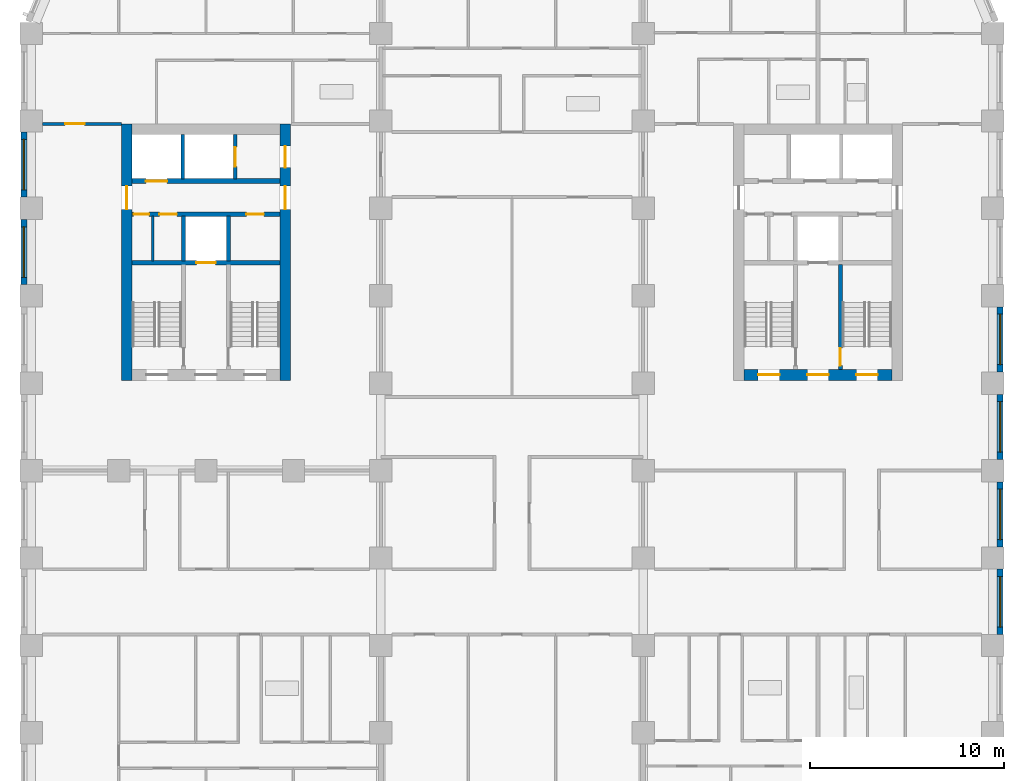
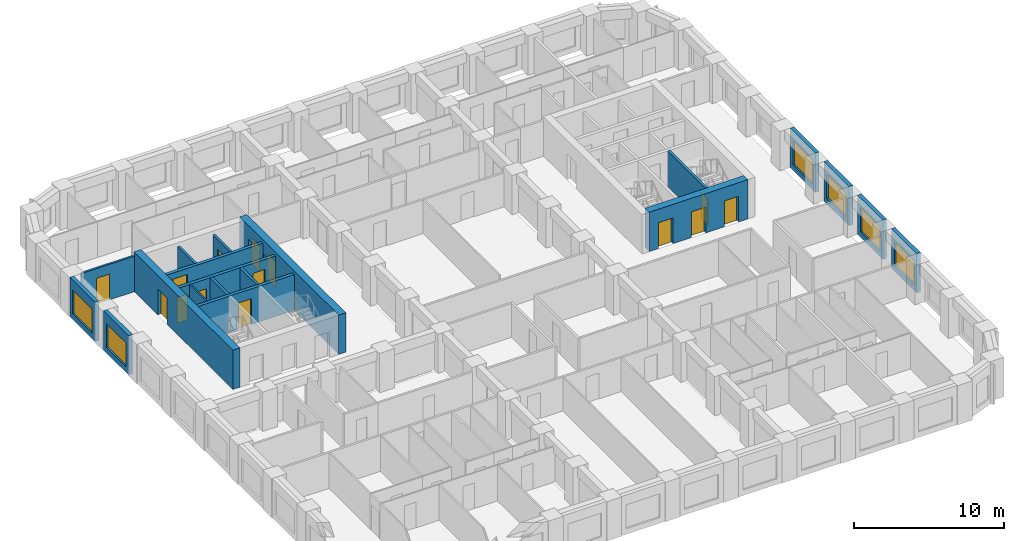
# One storey, part 6 of 13: 19 walls, 14 doors, 6 windows, 20 openings.
"""IFC4 building model written with IfcOpenShell, lengths in metres."""

from ifc_helpers import new_model, si_unit, direction, frame, frame_2d, origin, place, context, subcontext, project, spatial, rectangle, extrude, material, layer, layer_set, type_object, element, fill, save


model = new_model("IFC4")

# Units and contexts
model_context = context("Model", 3, precision=1e-05, world=origin(), true_north=direction((0.0, 1.0)))
body_context = subcontext(model_context, "Body", "Model", "MODEL_VIEW")
ifc_project = project(units=[si_unit("LENGTHUNIT", "METRE"), si_unit("AREAUNIT", "SQUARE_METRE"), si_unit("VOLUMEUNIT", "CUBIC_METRE"), si_unit("PLANEANGLEUNIT", "RADIAN"), si_unit("MASSUNIT", "GRAM", prefix="KILO")], contexts=[model_context])

# Site, building, storey
site_placement = place(None, origin())
site = spatial("IfcSite", under=ifc_project, at=site_placement, CompositionType="ELEMENT")
building_placement = place(site_placement, origin())
building = spatial("IfcBuilding", under=site, at=building_placement, Name="Girih Gate Residences", CompositionType="ELEMENT")
storey_placement = place(building_placement, frame((0.0, 0.0, 86.39990234375)))
storey = spatial("IfcBuildingStorey", under=building, at=storey_placement, Name="L23", CompositionType="ELEMENT", Elevation=86.39990234375)

# Wall, opening, door
ifc_material_1 = material(Name="Gypsum board on steel studs", Category="steel")
ifc_layer_1 = layer(ifc_material_1, 0.14990234375)
ifc_layer_set_1 = layer_set([ifc_layer_1], Name="Compartment wall 150 mm")
wall_type_1 = type_object("IfcWallType", Name="Compartment wall 150 mm", PredefinedType="PARTITIONING", material=ifc_layer_set_1)
wall_1_placement = place(storey_placement, frame((0.574951171875, 40.35009765625, 0.0), z_axis=(0.0, 0.0, 1.0), x_axis=(1.0, 0.0, 0.0)))
wall_1 = element("IfcWall", 1, at=wall_1_placement, inside=storey, type_object=wall_type_1, Name="L23 partition", PredefinedType="PARTITIONING", context=body_context, shape_type="SweptSolid", body=[
    extrude(rectangle(XDim=4.074951171875, YDim=0.14990234375, at=frame_2d((2.03759765625, 0.0))), origin(), (0.0, 0.0, 1.0), 2.900146484375),
])
opening_1_placement = place(wall_1_placement, frame((1.175048828125, 0.0, 0.0)))
opening_1 = element("IfcOpeningElement", 2, at=opening_1_placement, cuts=wall_1, Name="Opening A23-017", PredefinedType="OPENING", context=body_context, shape_type="SweptSolid", body=[
    extrude(rectangle(XDim=1.0, YDim=2.10009765625, at=frame_2d((0.5, 1.050048828125))), frame((0.0, 0.0849609375, 0.0), z_axis=(0.0, -1.0, 0.0), x_axis=(1.0, 0.0, 0.0)), (0.0, 0.0, 1.0), 0.169921875),
])
ifc_material_2 = material(Name="Timber, fire-rated core", Category="wood")
door_type_1 = type_object("IfcDoorType", Name="Flat entrance door 1000x2100 FD30S", OperationType="NOTDEFINED", PredefinedType="DOOR", material=ifc_material_2)
door_1_placement = place(opening_1_placement, origin())
door_1 = element("IfcDoor", 3, at=door_1_placement, inside=storey, type_object=door_type_1, Name="Door A23-017", OperationType="SINGLE_SWING_LEFT", OverallHeight=2.10009765625, OverallWidth=1.0, PredefinedType="DOOR", context=body_context, shape_type="SweptSolid", body=[
    extrude(rectangle(XDim=1.0, YDim=2.10009765625, at=frame_2d((0.5, 1.050048828125))), frame((0.0, 0.02490234375, 0.0), z_axis=(0.0, -1.0, 0.0), x_axis=(1.0, 0.0, 0.0)), (0.0, 0.0, 1.0), 0.050048828125),
])
fill(opening_1, door_1)

ifc_material_3 = material(Name="Concrete C60/75", Category="concrete")
ifc_layer_2 = layer(ifc_material_3, 0.550048828125)
ifc_layer_set_2 = layer_set([ifc_layer_2], Name="Core wall RC 550 Concrete C60/75")
wall_type_2 = type_object("IfcWallType", Name="Core wall RC 550 Concrete C60/75", PredefinedType="SOLIDWALL", material=ifc_layer_set_2)
wall_2_placement = place(storey_placement, frame((4.925048828125, 27.14990234375, 0.0), z_axis=(0.0, 0.0, 1.0), x_axis=(0.0, 1.0, 0.0)))
wall_2 = element("IfcWall", 4, at=wall_2_placement, inside=storey, type_object=wall_type_2, Name="Core wall W-W L23", PredefinedType="SOLIDWALL", context=body_context, shape_type="SweptSolid", body=[
    extrude(rectangle(XDim=13.2001953125, YDim=0.550048828125, at=frame_2d((6.60009765625, 0.0))), origin(), (0.0, 0.0, 1.0), 3.2001953125),
])
opening_2_placement = place(wall_2_placement, frame((8.800048828125, 0.0, 0.0)))
opening_2 = element("IfcOpeningElement", 5, at=opening_2_placement, cuts=wall_2, Name="Opening D-L23-W-013", PredefinedType="OPENING", context=body_context, shape_type="SweptSolid", body=[
    extrude(rectangle(XDim=1.199951171875, YDim=2.10009765625, at=frame_2d((0.60009765625, 1.050048828125))), frame((0.0, 0.284912109375, 0.0), z_axis=(0.0, -1.0, 0.0), x_axis=(1.0, 0.0, 0.0)), (0.0, 0.0, 1.0), 0.570068359375),
])
ifc_material_4 = material(Name="Painted steel, fire-resisting", Category="steel")
door_type_2 = type_object("IfcDoorType", Name="Fire door 1200x2100", OperationType="SINGLE_SWING_LEFT", PredefinedType="DOOR", material=ifc_material_4)
door_2_placement = place(opening_2_placement, origin())
door_2 = element("IfcDoor", 6, at=door_2_placement, inside=storey, type_object=door_type_2, Name="L23 W core door ll-w", OperationType="SINGLE_SWING_LEFT", OverallHeight=2.10009765625, OverallWidth=1.199951171875, PredefinedType="DOOR", context=body_context, shape_type="SweptSolid", body=[
    extrude(rectangle(XDim=1.199951171875, YDim=2.10009765625, at=frame_2d((0.60009765625, 1.050048828125))), frame((0.0, 0.02490234375, 0.0), z_axis=(0.0, -1.0, 0.0), x_axis=(1.0, 0.0, 0.0)), (0.0, 0.0, 1.0), 0.050048828125),
])
fill(opening_2, door_2)

# Wall, openings, doors
wall_3_placement = place(storey_placement, frame((13.074951171875, 27.14990234375, 0.0), z_axis=(0.0, 0.0, 1.0), x_axis=(0.0, 1.0, 0.0)))
wall_3 = element("IfcWall", 7, at=wall_3_placement, inside=storey, type_object=wall_type_2, Name="Core wall W-E L23", PredefinedType="SOLIDWALL", context=body_context, shape_type="SweptSolid", body=[
    extrude(rectangle(XDim=13.2001953125, YDim=0.550048828125, at=frame_2d((6.60009765625, 0.0))), origin(), (0.0, 0.0, 1.0), 3.2001953125),
])
opening_3_placement = place(wall_3_placement, frame((10.949951171875, 0.0, 0.0)))
opening_3 = element("IfcOpeningElement", 8, at=opening_3_placement, cuts=wall_3, Name="Opening D-L23-W-012", PredefinedType="OPENING", context=body_context, shape_type="SweptSolid", body=[
    extrude(rectangle(XDim=1.10009765625, YDim=2.10009765625, at=frame_2d((0.550048828125, 1.050048828125))), frame((0.0, 0.284912109375, 0.0), z_axis=(0.0, -1.0, 0.0), x_axis=(1.0, 0.0, 0.0)), (0.0, 0.0, 1.0), 0.570068359375),
])
opening_4_placement = place(wall_3_placement, frame((8.800048828125, 0.0, 0.0)))
opening_4 = element("IfcOpeningElement", 9, at=opening_4_placement, cuts=wall_3, Name="Opening D-L23-W-014", PredefinedType="OPENING", context=body_context, shape_type="SweptSolid", body=[
    extrude(rectangle(XDim=1.199951171875, YDim=2.10009765625, at=frame_2d((0.60009765625, 1.050048828125))), frame((0.0, 0.284912109375, 0.0), z_axis=(0.0, -1.0, 0.0), x_axis=(1.0, 0.0, 0.0)), (0.0, 0.0, 1.0), 0.570068359375),
])
door_type_3 = type_object("IfcDoorType", Name="Fire door 1100x2100", OperationType="SINGLE_SWING_LEFT", PredefinedType="DOOR", material=ifc_material_4)
door_3_placement = place(opening_3_placement, origin())
door_3 = element("IfcDoor", 10, at=door_3_placement, inside=storey, type_object=door_type_3, Name="L23 W core door ffl2-e", OperationType="SINGLE_SWING_LEFT", OverallHeight=2.10009765625, OverallWidth=1.10009765625, PredefinedType="DOOR", context=body_context, shape_type="SweptSolid", body=[
    extrude(rectangle(XDim=1.10009765625, YDim=2.10009765625, at=frame_2d((0.550048828125, 1.050048828125))), frame((0.0, 0.02490234375, 0.0), z_axis=(0.0, -1.0, 0.0), x_axis=(1.0, 0.0, 0.0)), (0.0, 0.0, 1.0), 0.050048828125),
])
fill(opening_3, door_3)
door_4_placement = place(opening_4_placement, origin())
door_4 = element("IfcDoor", 11, at=door_4_placement, inside=storey, type_object=door_type_2, Name="L23 W core door ll-e", OperationType="SINGLE_SWING_LEFT", OverallHeight=2.10009765625, OverallWidth=1.199951171875, PredefinedType="DOOR", context=body_context, shape_type="SweptSolid", body=[
    extrude(rectangle(XDim=1.199951171875, YDim=2.10009765625, at=frame_2d((0.60009765625, 1.050048828125))), frame((0.0, 0.02490234375, 0.0), z_axis=(0.0, -1.0, 0.0), x_axis=(1.0, 0.0, 0.0)), (0.0, 0.0, 1.0), 0.050048828125),
])
fill(opening_4, door_4)

wall_4_placement = place(storey_placement, frame((36.699951171875, 27.425048828125, 0.0), z_axis=(0.0, 0.0, 1.0), x_axis=(1.0, 0.0, 0.0)))
wall_4 = element("IfcWall", 12, at=wall_4_placement, inside=storey, type_object=wall_type_2, Name="Core wall E-S L23", PredefinedType="SOLIDWALL", context=body_context, shape_type="SweptSolid", body=[
    extrude(rectangle(XDim=7.60009765625, YDim=0.550048828125, at=frame_2d((3.800048828125, 0.0))), origin(), (0.0, 0.0, 1.0), 3.2001953125),
])
opening_5_placement = place(wall_4_placement, frame((5.77490234375, 0.0, 0.0)))
opening_5 = element("IfcOpeningElement", 13, at=opening_5_placement, cuts=wall_4, Name="Opening D-L23-E-010", PredefinedType="OPENING", context=body_context, shape_type="SweptSolid", body=[
    extrude(rectangle(XDim=1.10009765625, YDim=2.10009765625, at=frame_2d((0.550048828125, 1.050048828125))), frame((0.0, 0.284912109375, 0.0), z_axis=(0.0, -1.0, 0.0), x_axis=(1.0, 0.0, 0.0)), (0.0, 0.0, 1.0), 0.570068359375),
])
opening_6_placement = place(wall_4_placement, frame((3.25, 0.0, 0.0)))
opening_6 = element("IfcOpeningElement", 14, at=opening_6_placement, cuts=wall_4, Name="Opening D-L23-E-011", PredefinedType="OPENING", context=body_context, shape_type="SweptSolid", body=[
    extrude(rectangle(XDim=1.10009765625, YDim=2.10009765625, at=frame_2d((0.550048828125, 1.050048828125))), frame((0.0, 0.284912109375, 0.0), z_axis=(0.0, -1.0, 0.0), x_axis=(1.0, 0.0, 0.0)), (0.0, 0.0, 1.0), 0.570068359375),
])
opening_7_placement = place(wall_4_placement, frame((0.72509765625, 0.0, 0.0)))
opening_7 = element("IfcOpeningElement", 15, at=opening_7_placement, cuts=wall_4, Name="Opening D-L23-E-012", PredefinedType="OPENING", context=body_context, shape_type="SweptSolid", body=[
    extrude(rectangle(XDim=1.10009765625, YDim=2.10009765625, at=frame_2d((0.550048828125, 1.050048828125))), frame((0.0, 0.284912109375, 0.0), z_axis=(0.0, -1.0, 0.0), x_axis=(1.0, 0.0, 0.0)), (0.0, 0.0, 1.0), 0.570068359375),
])
door_5_placement = place(opening_5_placement, origin())
door_5 = element("IfcDoor", 16, at=door_5_placement, inside=storey, type_object=door_type_3, Name="L23 E core door sta-out", OperationType="SINGLE_SWING_LEFT", OverallHeight=2.10009765625, OverallWidth=1.10009765625, PredefinedType="DOOR", context=body_context, shape_type="SweptSolid", body=[
    extrude(rectangle(XDim=1.10009765625, YDim=2.10009765625, at=frame_2d((0.550048828125, 1.050048828125))), frame((0.0, 0.02490234375, 0.0), z_axis=(0.0, -1.0, 0.0), x_axis=(1.0, 0.0, 0.0)), (0.0, 0.0, 1.0), 0.050048828125),
])
fill(opening_5, door_5)
door_6_placement = place(opening_6_placement, origin())
door_6 = element("IfcDoor", 17, at=door_6_placement, inside=storey, type_object=door_type_3, Name="L23 E core door ffl-out", OperationType="SINGLE_SWING_LEFT", OverallHeight=2.10009765625, OverallWidth=1.10009765625, PredefinedType="DOOR", context=body_context, shape_type="SweptSolid", body=[
    extrude(rectangle(XDim=1.10009765625, YDim=2.10009765625, at=frame_2d((0.550048828125, 1.050048828125))), frame((0.0, 0.02490234375, 0.0), z_axis=(0.0, -1.0, 0.0), x_axis=(1.0, 0.0, 0.0)), (0.0, 0.0, 1.0), 0.050048828125),
])
fill(opening_6, door_6)
door_7_placement = place(opening_7_placement, origin())
door_7 = element("IfcDoor", 18, at=door_7_placement, inside=storey, type_object=door_type_3, Name="L23 E core door stb-out", OperationType="SINGLE_SWING_LEFT", OverallHeight=2.10009765625, OverallWidth=1.10009765625, PredefinedType="DOOR", context=body_context, shape_type="SweptSolid", body=[
    extrude(rectangle(XDim=1.10009765625, YDim=2.10009765625, at=frame_2d((0.550048828125, 1.050048828125))), frame((0.0, 0.02490234375, 0.0), z_axis=(0.0, -1.0, 0.0), x_axis=(1.0, 0.0, 0.0)), (0.0, 0.0, 1.0), 0.050048828125),
])
fill(opening_7, door_7)

# Wall, opening, door
ifc_material_5 = material(Name="Concrete C40/50", Category="concrete")
ifc_layer_3 = layer(ifc_material_5, 0.25)
ifc_layer_set_3 = layer_set([ifc_layer_3], Name="Lift shaft wall 250")
wall_type_3 = type_object("IfcWallType", Name="Lift shaft wall 250", PredefinedType="SOLIDWALL", material=ifc_layer_set_3)
wall_5_placement = place(storey_placement, frame((5.199951171875, 33.199951171875, 0.0), z_axis=(0.0, 0.0, 1.0), x_axis=(1.0, 0.0, 0.0)))
wall_5 = element("IfcWall", 19, at=wall_5_placement, inside=storey, type_object=wall_type_3, Name="L23 W core wall H1", PredefinedType="SOLIDWALL", context=body_context, shape_type="SweptSolid", body=[
    extrude(rectangle(XDim=7.60009765625, YDim=0.25, at=frame_2d((3.800048828125, 0.0))), origin(), (0.0, 0.0, 1.0), 2.900146484375),
])
opening_8_placement = place(wall_5_placement, frame((3.300048828125, 0.0, 0.0)))
opening_8 = element("IfcOpeningElement", 20, at=opening_8_placement, cuts=wall_5, Name="Opening D-L23-W-005", PredefinedType="OPENING", context=body_context, shape_type="SweptSolid", body=[
    extrude(rectangle(XDim=1.0, YDim=2.10009765625, at=frame_2d((0.5, 1.050048828125))), frame((0.0, 0.135009765625, 0.0), z_axis=(0.0, -1.0, 0.0), x_axis=(1.0, 0.0, 0.0)), (0.0, 0.0, 1.0), 0.27001953125),
])
ifc_material_6 = material(Name="Stainless steel, fire-resisting", Category="steel")
door_type_4 = type_object("IfcDoorType", Name="Firefighting lift landing door 1000x2100", OperationType="SLIDING_TO_LEFT", PredefinedType="DOOR", material=ifc_material_6)
door_8_placement = place(opening_8_placement, origin())
door_8 = element("IfcDoor", 21, at=door_8_placement, inside=storey, type_object=door_type_4, Name="L23 lift FF-W landing door", OperationType="SLIDING_TO_LEFT", OverallHeight=2.10009765625, OverallWidth=1.0, PredefinedType="DOOR", context=body_context, shape_type="SweptSolid", body=[
    extrude(rectangle(XDim=1.0, YDim=2.10009765625, at=frame_2d((0.5, 1.050048828125))), frame((0.0, 0.02490234375, 0.0), z_axis=(0.0, -1.0, 0.0), x_axis=(1.0, 0.0, 0.0)), (0.0, 0.0, 1.0), 0.050048828125),
])
fill(opening_8, door_8)

# Wall, openings, doors
wall_6_placement = place(storey_placement, frame((5.199951171875, 35.699951171875, 0.0), z_axis=(0.0, 0.0, 1.0), x_axis=(1.0, 0.0, 0.0)))
wall_6 = element("IfcWall", 22, at=wall_6_placement, inside=storey, type_object=wall_type_3, Name="L23 W core wall H2", PredefinedType="SOLIDWALL", context=body_context, shape_type="SweptSolid", body=[
    extrude(rectangle(XDim=7.60009765625, YDim=0.25, at=frame_2d((3.800048828125, 0.0))), origin(), (0.0, 0.0, 1.0), 2.900146484375),
])
opening_9_placement = place(wall_6_placement, frame((0.074951171875, 0.0, 0.0)))
opening_9 = element("IfcOpeningElement", 23, at=opening_9_placement, cuts=wall_6, Name="Opening D-L23-W-006", PredefinedType="OPENING", context=body_context, shape_type="SweptSolid", body=[
    extrude(rectangle(XDim=0.800048828125, YDim=2.10009765625, at=frame_2d((0.39990234375, 1.050048828125))), frame((0.0, 0.135009765625, 0.0), z_axis=(0.0, -1.0, 0.0), x_axis=(1.0, 0.0, 0.0)), (0.0, 0.0, 1.0), 0.27001953125),
])
opening_10_placement = place(wall_6_placement, frame((1.39990234375, 0.0, 0.0)))
opening_10 = element("IfcOpeningElement", 24, at=opening_10_placement, cuts=wall_6, Name="Opening D-L23-W-007", PredefinedType="OPENING", context=body_context, shape_type="SweptSolid", body=[
    extrude(rectangle(XDim=0.89990234375, YDim=2.10009765625, at=frame_2d((0.449951171875, 1.050048828125))), frame((0.0, 0.135009765625, 0.0), z_axis=(0.0, -1.0, 0.0), x_axis=(1.0, 0.0, 0.0)), (0.0, 0.0, 1.0), 0.27001953125),
])
opening_11_placement = place(wall_6_placement, frame((5.875, 0.0, 0.0)))
opening_11 = element("IfcOpeningElement", 25, at=opening_11_placement, cuts=wall_6, Name="Opening D-L23-W-008", PredefinedType="OPENING", context=body_context, shape_type="SweptSolid", body=[
    extrude(rectangle(XDim=0.89990234375, YDim=2.10009765625, at=frame_2d((0.449951171875, 1.050048828125))), frame((0.0, 0.135009765625, 0.0), z_axis=(0.0, -1.0, 0.0), x_axis=(1.0, 0.0, 0.0)), (0.0, 0.0, 1.0), 0.27001953125),
])
door_type_5 = type_object("IfcDoorType", Name="Fire door 800x2100", OperationType="SINGLE_SWING_LEFT", PredefinedType="DOOR", material=ifc_material_4)
door_9_placement = place(opening_9_placement, origin())
door_9 = element("IfcDoor", 26, at=door_9_placement, inside=storey, type_object=door_type_5, Name="L23 W linen store door", OperationType="SINGLE_SWING_LEFT", OverallHeight=2.10009765625, OverallWidth=0.800048828125, PredefinedType="DOOR", context=body_context, shape_type="SweptSolid", body=[
    extrude(rectangle(XDim=0.800048828125, YDim=2.10009765625, at=frame_2d((0.39990234375, 1.050048828125))), frame((0.0, 0.02490234375, 0.0), z_axis=(0.0, -1.0, 0.0), x_axis=(1.0, 0.0, 0.0)), (0.0, 0.0, 1.0), 0.050048828125),
])
fill(opening_9, door_9)
door_type_6 = type_object("IfcDoorType", Name="Fire door 900x2100", OperationType="SINGLE_SWING_LEFT", PredefinedType="DOOR", material=ifc_material_4)
door_10_placement = place(opening_10_placement, origin())
door_10 = element("IfcDoor", 27, at=door_10_placement, inside=storey, type_object=door_type_6, Name="L23 W maintenance store door", OperationType="SINGLE_SWING_LEFT", OverallHeight=2.10009765625, OverallWidth=0.89990234375, PredefinedType="DOOR", context=body_context, shape_type="SweptSolid", body=[
    extrude(rectangle(XDim=0.89990234375, YDim=2.10009765625, at=frame_2d((0.449951171875, 1.050048828125))), frame((0.0, 0.02490234375, 0.0), z_axis=(0.0, -1.0, 0.0), x_axis=(1.0, 0.0, 0.0)), (0.0, 0.0, 1.0), 0.050048828125),
])
fill(opening_10, door_10)
door_11_placement = place(opening_11_placement, origin())
door_11 = element("IfcDoor", 28, at=door_11_placement, inside=storey, type_object=door_type_6, Name="L23 W riser room door", OperationType="SINGLE_SWING_LEFT", OverallHeight=2.10009765625, OverallWidth=0.89990234375, PredefinedType="DOOR", context=body_context, shape_type="SweptSolid", body=[
    extrude(rectangle(XDim=0.89990234375, YDim=2.10009765625, at=frame_2d((0.449951171875, 1.050048828125))), frame((0.0, 0.02490234375, 0.0), z_axis=(0.0, -1.0, 0.0), x_axis=(1.0, 0.0, 0.0)), (0.0, 0.0, 1.0), 0.050048828125),
])
fill(opening_11, door_11)

# Wall, opening, door
wall_7_placement = place(storey_placement, frame((5.199951171875, 37.39990234375, 0.0), z_axis=(0.0, 0.0, 1.0), x_axis=(1.0, 0.0, 0.0)))
wall_7 = element("IfcWall", 29, at=wall_7_placement, inside=storey, type_object=wall_type_3, Name="L23 W core wall H3", PredefinedType="SOLIDWALL", context=body_context, shape_type="SweptSolid", body=[
    extrude(rectangle(XDim=7.60009765625, YDim=0.25, at=frame_2d((3.800048828125, 0.0))), origin(), (0.0, 0.0, 1.0), 2.900146484375),
])
opening_12_placement = place(wall_7_placement, frame((0.699951171875, 0.0, 0.0)))
opening_12 = element("IfcOpeningElement", 30, at=opening_12_placement, cuts=wall_7, Name="Opening D-L23-W-003", PredefinedType="OPENING", context=body_context, shape_type="SweptSolid", body=[
    extrude(rectangle(XDim=1.10009765625, YDim=2.39990234375, at=frame_2d((0.550048828125, 1.199951171875))), frame((0.0, 0.135009765625, 0.0), z_axis=(0.0, -1.0, 0.0), x_axis=(1.0, 0.0, 0.0)), (0.0, 0.0, 1.0), 0.27001953125),
])
ifc_material_7 = material(Name="Stainless steel", Category="steel")
door_type_7 = type_object("IfcDoorType", Name="Lift landing door 1100x2400", OperationType="SLIDING_TO_LEFT", PredefinedType="DOOR", material=ifc_material_7)
door_12_placement = place(opening_12_placement, origin())
door_12 = element("IfcDoor", 31, at=door_12_placement, inside=storey, type_object=door_type_7, Name="L23 lift LR-W1 landing door", OperationType="SLIDING_TO_LEFT", OverallHeight=2.39990234375, OverallWidth=1.10009765625, PredefinedType="DOOR", context=body_context, shape_type="SweptSolid", body=[
    extrude(rectangle(XDim=1.10009765625, YDim=2.39990234375, at=frame_2d((0.550048828125, 1.199951171875))), frame((0.0, 0.02490234375, 0.0), z_axis=(0.0, -1.0, 0.0), x_axis=(1.0, 0.0, 0.0)), (0.0, 0.0, 1.0), 0.050048828125),
])
fill(opening_12, door_12)

# Wall, opening, window
ifc_material_8 = material(Name="Precast concrete C50/60", Category="concrete")
ifc_layer_4 = layer(ifc_material_8, 0.080078125, Name="Outer leaf")
ifc_material_9 = material(Name="Rigid PIR insulation")
ifc_layer_5 = layer(ifc_material_9, 0.14990234375, Name="Insulation")
ifc_material_10 = material(Name="Precast concrete C40/50", Category="concrete")
ifc_layer_6 = layer(ifc_material_10, 0.070068359375, Name="Inner leaf")
ifc_layer_set_4 = layer_set([ifc_layer_4, ifc_layer_5, ifc_layer_6], Name="Precast concrete C50/60 external wall 300")
wall_type_4 = type_object("IfcWallType", Name="Precast concrete C50/60 external wall 300", PredefinedType="SOLIDWALL", material=ifc_layer_set_4)
wall_8_placement = place(storey_placement, frame((49.875, 17.425048828125, 0.0), z_axis=(0.0, 0.0, 1.0), x_axis=(0.0, -1.0, 0.0)))
wall_8 = element("IfcWall", 32, at=wall_8_placement, inside=storey, type_object=wall_type_4, Name="External wall E0495_0045.2", PredefinedType="SOLIDWALL", context=body_context, shape_type="SweptSolid", body=[
    extrude(rectangle(XDim=3.35009765625, YDim=0.300048828125, at=frame_2d((1.675048828125, 0.0))), origin(), (0.0, 0.0, 1.0), 3.2001953125),
])
opening_13_placement = place(wall_8_placement, frame((0.375, 0.0, 0.449951171875)))
opening_13 = element("IfcOpeningElement", 33, at=opening_13_placement, cuts=wall_8, Name="Opening W-1A", PredefinedType="OPENING", context=body_context, shape_type="SweptSolid", body=[
    extrude(rectangle(XDim=2.60009765625, YDim=1.949951171875, at=frame_2d((1.300048828125, 0.97509765625))), frame((0.0, 0.159912109375, 0.0), z_axis=(0.0, -1.0, 0.0), x_axis=(1.0, 0.0, 0.0)), (0.0, 0.0, 1.0), 0.320068359375),
])
ifc_material_11 = material(Name="Double glazing in aluminium frame", Category="aluminium")
window_type = type_object("IfcWindowType", Name="Window W-1A 2600x1950", PartitioningType="SINGLE_PANEL", PredefinedType="WINDOW", material=ifc_material_11)
window_1_placement = place(opening_13_placement, origin())
window_1 = element("IfcWindow", 34, at=window_1_placement, inside=storey, type_object=window_type, Name="Window W-1A E0495_0045.2", OverallHeight=1.949951171875, OverallWidth=2.60009765625, PartitioningType="SINGLE_PANEL", PredefinedType="WINDOW", context=body_context, shape_type="SweptSolid", body=[
    extrude(rectangle(XDim=2.60009765625, YDim=1.949951171875, at=frame_2d((1.300048828125, 0.97509765625))), frame((0.0, 0.030029296875, 0.0), z_axis=(0.0, -1.0, 0.0), x_axis=(1.0, 0.0, 0.0)), (0.0, 0.0, 1.0), 0.06005859375),
])
fill(opening_13, window_1)

wall_9_placement = place(storey_placement, frame((49.875, 21.925048828125, 0.0), z_axis=(0.0, 0.0, 1.0), x_axis=(0.0, -1.0, 0.0)))
wall_9 = element("IfcWall", 35, at=wall_9_placement, inside=storey, type_object=wall_type_4, Name="External wall E0495_0045.3", PredefinedType="SOLIDWALL", context=body_context, shape_type="SweptSolid", body=[
    extrude(rectangle(XDim=3.35009765625, YDim=0.300048828125, at=frame_2d((1.675048828125, 0.0))), origin(), (0.0, 0.0, 1.0), 3.2001953125),
])
opening_14_placement = place(wall_9_placement, frame((0.375, 0.0, 0.449951171875)))
opening_14 = element("IfcOpeningElement", 36, at=opening_14_placement, cuts=wall_9, Name="Opening W-1A", PredefinedType="OPENING", context=body_context, shape_type="SweptSolid", body=[
    extrude(rectangle(XDim=2.60009765625, YDim=1.949951171875, at=frame_2d((1.300048828125, 0.97509765625))), frame((0.0, 0.159912109375, 0.0), z_axis=(0.0, -1.0, 0.0), x_axis=(1.0, 0.0, 0.0)), (0.0, 0.0, 1.0), 0.320068359375),
])
window_2_placement = place(opening_14_placement, origin())
window_2 = element("IfcWindow", 37, at=window_2_placement, inside=storey, type_object=window_type, Name="Window W-1A E0495_0045.3", OverallHeight=1.949951171875, OverallWidth=2.60009765625, PartitioningType="SINGLE_PANEL", PredefinedType="WINDOW", context=body_context, shape_type="SweptSolid", body=[
    extrude(rectangle(XDim=2.60009765625, YDim=1.949951171875, at=frame_2d((1.300048828125, 0.97509765625))), frame((0.0, 0.030029296875, 0.0), z_axis=(0.0, -1.0, 0.0), x_axis=(1.0, 0.0, 0.0)), (0.0, 0.0, 1.0), 0.06005859375),
])
fill(opening_14, window_2)

wall_10_placement = place(storey_placement, frame((49.875, 26.425048828125, 0.0), z_axis=(0.0, 0.0, 1.0), x_axis=(0.0, -1.0, 0.0)))
wall_10 = element("IfcWall", 38, at=wall_10_placement, inside=storey, type_object=wall_type_4, Name="External wall E0495_0045.4", PredefinedType="SOLIDWALL", context=body_context, shape_type="SweptSolid", body=[
    extrude(rectangle(XDim=3.35009765625, YDim=0.300048828125, at=frame_2d((1.675048828125, 0.0))), origin(), (0.0, 0.0, 1.0), 3.2001953125),
])
opening_15_placement = place(wall_10_placement, frame((0.375, 0.0, 0.449951171875)))
opening_15 = element("IfcOpeningElement", 39, at=opening_15_placement, cuts=wall_10, Name="Opening W-1A", PredefinedType="OPENING", context=body_context, shape_type="SweptSolid", body=[
    extrude(rectangle(XDim=2.60009765625, YDim=1.949951171875, at=frame_2d((1.300048828125, 0.97509765625))), frame((0.0, 0.159912109375, 0.0), z_axis=(0.0, -1.0, 0.0), x_axis=(1.0, 0.0, 0.0)), (0.0, 0.0, 1.0), 0.320068359375),
])
window_3_placement = place(opening_15_placement, origin())
window_3 = element("IfcWindow", 40, at=window_3_placement, inside=storey, type_object=window_type, Name="Window W-1A E0495_0045.4", OverallHeight=1.949951171875, OverallWidth=2.60009765625, PartitioningType="SINGLE_PANEL", PredefinedType="WINDOW", context=body_context, shape_type="SweptSolid", body=[
    extrude(rectangle(XDim=2.60009765625, YDim=1.949951171875, at=frame_2d((1.300048828125, 0.97509765625))), frame((0.0, 0.030029296875, 0.0), z_axis=(0.0, -1.0, 0.0), x_axis=(1.0, 0.0, 0.0)), (0.0, 0.0, 1.0), 0.06005859375),
])
fill(opening_15, window_3)

wall_11_placement = place(storey_placement, frame((49.875, 30.925048828125, 0.0), z_axis=(0.0, 0.0, 1.0), x_axis=(0.0, -1.0, 0.0)))
wall_11 = element("IfcWall", 41, at=wall_11_placement, inside=storey, type_object=wall_type_4, Name="External wall E0495_0045.5", PredefinedType="SOLIDWALL", context=body_context, shape_type="SweptSolid", body=[
    extrude(rectangle(XDim=3.35009765625, YDim=0.300048828125, at=frame_2d((1.675048828125, 0.0))), origin(), (0.0, 0.0, 1.0), 3.2001953125),
])
opening_16_placement = place(wall_11_placement, frame((0.375, 0.0, 0.449951171875)))
opening_16 = element("IfcOpeningElement", 42, at=opening_16_placement, cuts=wall_11, Name="Opening W-1A", PredefinedType="OPENING", context=body_context, shape_type="SweptSolid", body=[
    extrude(rectangle(XDim=2.60009765625, YDim=1.949951171875, at=frame_2d((1.300048828125, 0.97509765625))), frame((0.0, 0.159912109375, 0.0), z_axis=(0.0, -1.0, 0.0), x_axis=(1.0, 0.0, 0.0)), (0.0, 0.0, 1.0), 0.320068359375),
])
window_4_placement = place(opening_16_placement, origin())
window_4 = element("IfcWindow", 43, at=window_4_placement, inside=storey, type_object=window_type, Name="Window W-1A E0495_0045.5", OverallHeight=1.949951171875, OverallWidth=2.60009765625, PartitioningType="SINGLE_PANEL", PredefinedType="WINDOW", context=body_context, shape_type="SweptSolid", body=[
    extrude(rectangle(XDim=2.60009765625, YDim=1.949951171875, at=frame_2d((1.300048828125, 0.97509765625))), frame((0.0, 0.030029296875, 0.0), z_axis=(0.0, -1.0, 0.0), x_axis=(1.0, 0.0, 0.0)), (0.0, 0.0, 1.0), 0.06005859375),
])
fill(opening_16, window_4)

wall_12_placement = place(storey_placement, frame((-0.375, 36.574951171875, 0.0), z_axis=(0.0, 0.0, 1.0), x_axis=(0.0, 1.0, 0.0)))
wall_12 = element("IfcWall", 44, at=wall_12_placement, inside=storey, type_object=wall_type_4, Name="External wall W0000_0450.1", PredefinedType="SOLIDWALL", context=body_context, shape_type="SweptSolid", body=[
    extrude(rectangle(XDim=3.35009765625, YDim=0.300048828125, at=frame_2d((1.675048828125, 0.0))), origin(), (0.0, 0.0, 1.0), 3.2001953125),
])
opening_17_placement = place(wall_12_placement, frame((0.375, 0.0, 0.449951171875)))
opening_17 = element("IfcOpeningElement", 45, at=opening_17_placement, cuts=wall_12, Name="Opening W-1A", PredefinedType="OPENING", context=body_context, shape_type="SweptSolid", body=[
    extrude(rectangle(XDim=2.60009765625, YDim=1.949951171875, at=frame_2d((1.300048828125, 0.97509765625))), frame((0.0, 0.159912109375, 0.0), z_axis=(0.0, -1.0, 0.0), x_axis=(1.0, 0.0, 0.0)), (0.0, 0.0, 1.0), 0.320068359375),
])
window_5_placement = place(opening_17_placement, origin())
window_5 = element("IfcWindow", 46, at=window_5_placement, inside=storey, type_object=window_type, Name="Window W-1A W0000_0450.1", OverallHeight=1.949951171875, OverallWidth=2.60009765625, PartitioningType="SINGLE_PANEL", PredefinedType="WINDOW", context=body_context, shape_type="SweptSolid", body=[
    extrude(rectangle(XDim=2.60009765625, YDim=1.949951171875, at=frame_2d((1.300048828125, 0.97509765625))), frame((0.0, 0.030029296875, 0.0), z_axis=(0.0, -1.0, 0.0), x_axis=(1.0, 0.0, 0.0)), (0.0, 0.0, 1.0), 0.06005859375),
])
fill(opening_17, window_5)

wall_13_placement = place(storey_placement, frame((-0.375, 32.074951171875, 0.0), z_axis=(0.0, 0.0, 1.0), x_axis=(0.0, 1.0, 0.0)))
wall_13 = element("IfcWall", 47, at=wall_13_placement, inside=storey, type_object=wall_type_4, Name="External wall W0000_0450.2", PredefinedType="SOLIDWALL", context=body_context, shape_type="SweptSolid", body=[
    extrude(rectangle(XDim=3.35009765625, YDim=0.300048828125, at=frame_2d((1.675048828125, 0.0))), origin(), (0.0, 0.0, 1.0), 3.2001953125),
])
opening_18_placement = place(wall_13_placement, frame((0.375, 0.0, 0.449951171875)))
opening_18 = element("IfcOpeningElement", 48, at=opening_18_placement, cuts=wall_13, Name="Opening W-1A", PredefinedType="OPENING", context=body_context, shape_type="SweptSolid", body=[
    extrude(rectangle(XDim=2.60009765625, YDim=1.949951171875, at=frame_2d((1.300048828125, 0.97509765625))), frame((0.0, 0.159912109375, 0.0), z_axis=(0.0, -1.0, 0.0), x_axis=(1.0, 0.0, 0.0)), (0.0, 0.0, 1.0), 0.320068359375),
])
window_6_placement = place(opening_18_placement, origin())
window_6 = element("IfcWindow", 49, at=window_6_placement, inside=storey, type_object=window_type, Name="Window W-1A W0000_0450.2", OverallHeight=1.949951171875, OverallWidth=2.60009765625, PartitioningType="SINGLE_PANEL", PredefinedType="WINDOW", context=body_context, shape_type="SweptSolid", body=[
    extrude(rectangle(XDim=2.60009765625, YDim=1.949951171875, at=frame_2d((1.300048828125, 0.97509765625))), frame((0.0, 0.030029296875, 0.0), z_axis=(0.0, -1.0, 0.0), x_axis=(1.0, 0.0, 0.0)), (0.0, 0.0, 1.0), 0.06005859375),
])
fill(opening_18, window_6)

# Wall
ifc_layer_7 = layer(ifc_material_5, 0.175048828125)
ifc_layer_set_5 = layer_set([ifc_layer_7], Name="Riser shaft wall 175")
wall_type_5 = type_object("IfcWallType", Name="Riser shaft wall 175", PredefinedType="SOLIDWALL", material=ifc_layer_set_5)
wall_14_placement = place(storey_placement, frame((7.800048828125, 37.5, 0.0), z_axis=(0.0, 0.0, 1.0), x_axis=(0.0, 1.0, 0.0)))
element("IfcWall", 50, at=wall_14_placement, inside=storey, type_object=wall_type_5, Name="L23 W core wall V1c", PredefinedType="SOLIDWALL", context=body_context, shape_type="SweptSolid", body=[
    extrude(rectangle(XDim=2.300048828125, YDim=0.175048828125, at=frame_2d((1.14990234375, 0.0))), origin(), (0.0, 0.0, 1.0), 2.900146484375),
])

# Wall, opening, door
wall_15_placement = place(storey_placement, frame((10.5, 37.5, 0.0), z_axis=(0.0, 0.0, 1.0), x_axis=(0.0, 1.0, 0.0)))
wall_15 = element("IfcWall", 51, at=wall_15_placement, inside=storey, type_object=wall_type_5, Name="L23 W core wall V2c", PredefinedType="SOLIDWALL", context=body_context, shape_type="SweptSolid", body=[
    extrude(rectangle(XDim=2.300048828125, YDim=0.175048828125, at=frame_2d((1.14990234375, 0.0))), origin(), (0.0, 0.0, 1.0), 2.900146484375),
])
opening_19_placement = place(wall_15_placement, frame((0.64990234375, 0.0, 0.0)))
opening_19 = element("IfcOpeningElement", 52, at=opening_19_placement, cuts=wall_15, Name="Opening D-L23-W-004", PredefinedType="OPENING", context=body_context, shape_type="SweptSolid", body=[
    extrude(rectangle(XDim=1.0, YDim=2.10009765625, at=frame_2d((0.5, 1.050048828125))), frame((0.0, 0.097412109375, 0.0), z_axis=(0.0, -1.0, 0.0), x_axis=(1.0, 0.0, 0.0)), (0.0, 0.0, 1.0), 0.195068359375),
])
door_13_placement = place(opening_19_placement, origin())
door_13 = element("IfcDoor", 53, at=door_13_placement, inside=storey, type_object=door_type_4, Name="L23 lift FF-W2 landing door", OperationType="SLIDING_TO_LEFT", OverallHeight=2.10009765625, OverallWidth=1.0, PredefinedType="DOOR", context=body_context, shape_type="SweptSolid", body=[
    extrude(rectangle(XDim=1.0, YDim=2.10009765625, at=frame_2d((0.5, 1.050048828125))), frame((0.0, 0.02490234375, 0.0), z_axis=(0.0, -1.0, 0.0), x_axis=(1.0, 0.0, 0.0)), (0.0, 0.0, 1.0), 0.050048828125),
])
fill(opening_19, door_13)

# Walls
ifc_layer_8 = layer(ifc_material_5, 0.199951171875)
ifc_layer_set_6 = layer_set([ifc_layer_8], Name="Shaft wall 200")
wall_type_6 = type_object("IfcWallType", Name="Shaft wall 200", PredefinedType="SOLIDWALL", material=ifc_layer_set_6)
for number, where, z_axis, x_axis, name in (
    (54, (7.85009765625, 33.300048828125, 0.0), (0.0, 0.0, 1.0), (0.0, 1.0, 0.0), "L23 W core wall V1b"),
    (55, (10.14990234375, 33.300048828125, 0.0), (0.0, 0.0, 1.0), (0.0, 1.0, 0.0), "L23 W core wall V2b"),
):
    element("IfcWall", number, at=place(storey_placement, frame(where, z_axis=z_axis, x_axis=x_axis)), inside=storey, type_object=wall_type_6, Name=name, PredefinedType="SOLIDWALL", context=body_context, shape_type="SweptSolid", body=[
        extrude(rectangle(XDim=2.300048828125, YDim=0.199951171875, at=frame_2d((1.14990234375, 0.0))), origin(), (0.0, 0.0, 1.0), 2.900146484375),
    ])

# Wall, opening, door
wall_16_placement = place(storey_placement, frame((41.64990234375, 27.699951171875, 0.0), z_axis=(0.0, 0.0, 1.0), x_axis=(0.0, 1.0, 0.0)))
wall_16 = element("IfcWall", 56, at=wall_16_placement, inside=storey, type_object=wall_type_6, Name="L23 E core wall V1a", PredefinedType="SOLIDWALL", context=body_context, shape_type="SweptSolid", body=[
    extrude(rectangle(XDim=5.400146484375, YDim=0.199951171875, at=frame_2d((2.7001953125, 0.0))), origin(), (0.0, 0.0, 1.0), 2.900146484375),
])
opening_20_placement = place(wall_16_placement, frame((0.199951171875, 0.0, 0.0)))
opening_20 = element("IfcOpeningElement", 57, at=opening_20_placement, cuts=wall_16, Name="Opening D-L23-E-001", PredefinedType="OPENING", context=body_context, shape_type="SweptSolid", body=[
    extrude(rectangle(XDim=0.89990234375, YDim=2.10009765625, at=frame_2d((0.449951171875, 1.050048828125))), frame((0.0, 0.10986328125, 0.0), z_axis=(0.0, -1.0, 0.0), x_axis=(1.0, 0.0, 0.0)), (0.0, 0.0, 1.0), 0.219970703125),
])
door_14_placement = place(opening_20_placement, origin())
door_14 = element("IfcDoor", 58, at=door_14_placement, inside=storey, type_object=door_type_6, Name="L23 E door stair 1 to firefighting lobby", OperationType="SINGLE_SWING_LEFT", OverallHeight=2.10009765625, OverallWidth=0.89990234375, PredefinedType="DOOR", context=body_context, shape_type="SweptSolid", body=[
    extrude(rectangle(XDim=0.89990234375, YDim=2.10009765625, at=frame_2d((0.449951171875, 1.050048828125))), frame((0.0, 0.02490234375, 0.0), z_axis=(0.0, -1.0, 0.0), x_axis=(1.0, 0.0, 0.0)), (0.0, 0.0, 1.0), 0.050048828125),
])
fill(opening_20, door_14)

# Wall
ifc_material_12 = material(Name="Calcium silicate blockwork", Category="masonry")
ifc_layer_9 = layer(ifc_material_12, 0.125)
ifc_layer_set_7 = layer_set([ifc_layer_9], Name="Store partition 125")
wall_type_7 = type_object("IfcWallType", Name="Store partition 125", PredefinedType="PARTITIONING", material=ifc_layer_set_7)
wall_17_placement = place(storey_placement, frame((6.25, 33.300048828125, 0.0), z_axis=(0.0, 0.0, 1.0), x_axis=(0.0, 1.0, 0.0)))
element("IfcWall", 59, at=wall_17_placement, inside=storey, type_object=wall_type_7, Name="L23 W core wall SHR1", PredefinedType="PARTITIONING", context=body_context, shape_type="SweptSolid", body=[
    extrude(rectangle(XDim=2.300048828125, YDim=0.125, at=frame_2d((1.14990234375, 0.0))), origin(), (0.0, 0.0, 1.0), 2.900146484375),
])

save(model, "model.ifc")
